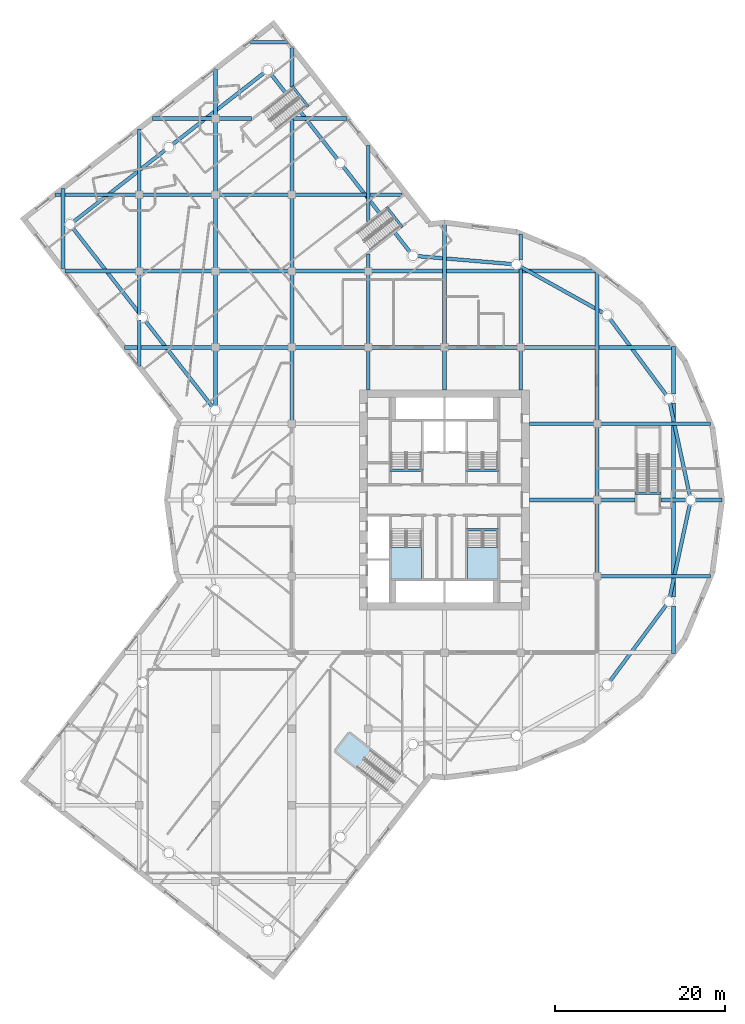
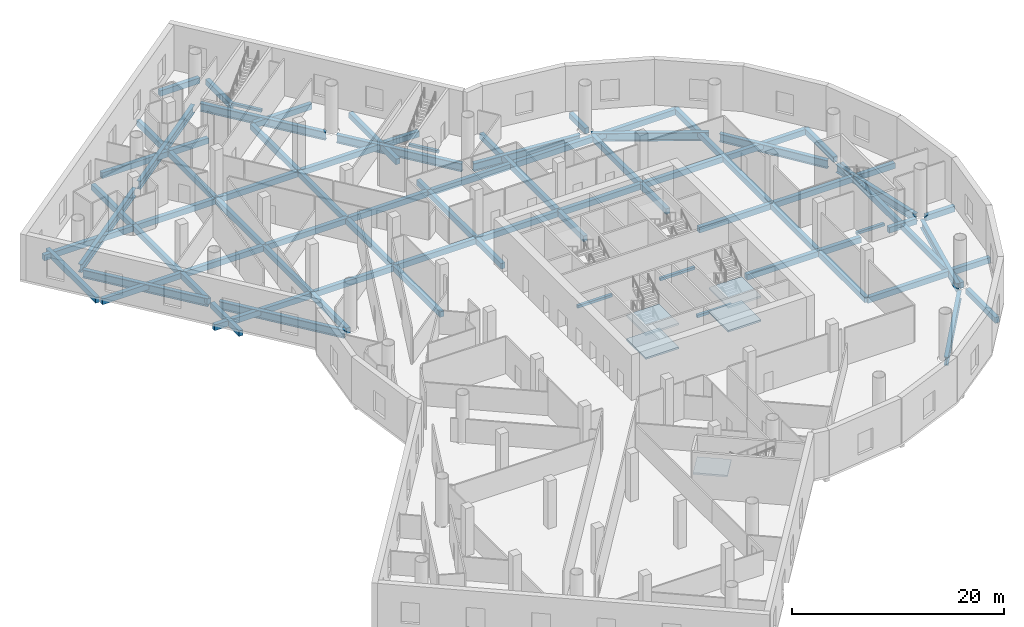
# One storey, part 2 of 23: 74 beams, 5 slabs, 3 elements without a shape of their own.
"""IFC4 building model written with IfcOpenShell, lengths in metres."""

from ifc_helpers import new_model, si_unit, direction, frame, origin, origin_2d, place, context, subcontext, project, spatial, polyline, rectangle, i_section, outline, extrude, material, layer, layer_set, material_profile, profile_set, type_object, element, aggregate, save


model = new_model("IFC4")

# Units and contexts
model_context = context("Model", 3, precision=1e-05, world=origin(), true_north=direction((0.0, 1.0)))
body_context = subcontext(model_context, "Body", "Model", "MODEL_VIEW")
ifc_project = project(units=[si_unit("LENGTHUNIT", "METRE"), si_unit("AREAUNIT", "SQUARE_METRE"), si_unit("VOLUMEUNIT", "CUBIC_METRE"), si_unit("PLANEANGLEUNIT", "RADIAN"), si_unit("MASSUNIT", "GRAM", prefix="KILO")], contexts=[model_context])

# Site, building, storey
site_placement = place(None, origin())
site = spatial("IfcSite", under=ifc_project, at=site_placement, CompositionType="ELEMENT")
building_placement = place(site_placement, origin())
building = spatial("IfcBuilding", under=site, at=building_placement, Name="Tarsis Ring Headquarters", CompositionType="ELEMENT")
storey_placement = place(building_placement, frame((0.0, 0.0, 14.0)))
storey = spatial("IfcBuildingStorey", under=building, at=storey_placement, Name="L02", CompositionType="ELEMENT", Elevation=14.0)

# Beams
ifc_material_1 = material(Name="Concrete C40/50", Category="concrete")
ifc_material_profile_1 = material_profile(ifc_material_1, rectangle(XDim=0.449951171875, YDim=0.64990234375, at=origin_2d()), Name="PO-B450")
ifc_profile_set_1 = profile_set([ifc_material_profile_1], Name="Concrete C40/50")
beam_type_1 = type_object("IfcBeamType", Name="PO-B450", PredefinedType="BEAM", material=ifc_profile_set_1)
beam_1_placement = place(storey_placement, frame((-45.0, 27.3046875, -0.574951171875), z_axis=(0.0, 1.0, 0.0), x_axis=(-1.0, 0.0, 0.0)))
element("IfcBeam", 1, at=beam_1_placement, inside=storey, type_object=beam_type_1, Name="L02 floor beam 2", PredefinedType="BEAM", context=body_context, shape_type="SweptSolid", body=[
    extrude(rectangle(XDim=0.449951171875, YDim=0.64990234375, at=origin_2d()), origin(), (0.0, 0.0, 1.0), 9.42724609375),
])
beam_2_placement = place(storey_placement, frame((-36.0, 15.78515625, -0.574951171875), z_axis=(0.0, 1.0, 0.0), x_axis=(-1.0, 0.0, 0.0)))
element("IfcBeam", 2, at=beam_2_placement, inside=storey, type_object=beam_type_1, Name="L02 floor beam 7", PredefinedType="BEAM", context=body_context, shape_type="SweptSolid", body=[
    extrude(rectangle(XDim=0.449951171875, YDim=0.64990234375, at=origin_2d()), origin(), (0.0, 0.0, 1.0), 5.44140625),
])
beam_3_placement = place(storey_placement, frame((-36.0, 21.853515625, -0.574951171875), z_axis=(0.0, 1.0, 0.0), x_axis=(-1.0, 0.0, 0.0)))
element("IfcBeam", 3, at=beam_3_placement, inside=storey, type_object=beam_type_1, Name="L02 floor beam 8", PredefinedType="BEAM", context=body_context, shape_type="SweptSolid", body=[
    extrude(rectangle(XDim=0.449951171875, YDim=0.64990234375, at=origin_2d()), origin(), (0.0, 0.0, 1.0), 5.146484375),
])
beam_4_placement = place(storey_placement, frame((-36.0, 27.0, -0.574951171875), z_axis=(0.0, 1.0, 0.0), x_axis=(-1.0, 0.0, 0.0)))
element("IfcBeam", 4, at=beam_4_placement, inside=storey, type_object=beam_type_1, Name="L02 floor beam 9", PredefinedType="BEAM", context=body_context, shape_type="SweptSolid", body=[
    extrude(rectangle(XDim=0.449951171875, YDim=0.64990234375, at=origin_2d()), origin(), (0.0, 0.0, 1.0), 9.0),
])
beam_5_placement = place(storey_placement, frame((-36.0, 36.0, -0.574951171875), z_axis=(0.0, 1.0, 0.0), x_axis=(-1.0, 0.0, 0.0)))
element("IfcBeam", 5, at=beam_5_placement, inside=storey, type_object=beam_type_1, Name="L02 floor beam 10", PredefinedType="BEAM", context=body_context, shape_type="SweptSolid", body=[
    extrude(rectangle(XDim=0.449951171875, YDim=0.64990234375, at=origin_2d()), origin(), (0.0, 0.0, 1.0), 7.763671875),
])
beam_6_placement = place(storey_placement, frame((-27.0, 11.082275390625, -0.574951171875), z_axis=(0.0, 1.0, 0.0), x_axis=(-1.0, 0.0, 0.0)))
element("IfcBeam", 6, at=beam_6_placement, inside=storey, type_object=beam_type_1, Name="L02 floor beam 14", PredefinedType="BEAM", context=body_context, shape_type="SweptSolid", body=[
    extrude(rectangle(XDim=0.449951171875, YDim=0.64990234375, at=origin_2d()), origin(), (0.0, 0.0, 1.0), 6.917724609375),
])
for number, where, z_axis, x_axis, name in (
    (7, (-27.0, 18.0, -0.574951171875), (0.0, 1.0, 0.0), (-1.0, 0.0, 0.0), "L02 floor beam 15"),
    (8, (-27.0, 27.0, -0.574951171875), (0.0, 1.0, 0.0), (-1.0, 0.0, 0.0), "L02 floor beam 16"),
    (9, (-27.0, 36.0, -0.574951171875), (0.0, 1.0, 0.0), (-1.0, 0.0, 0.0), "L02 floor beam 17"),
):
    element("IfcBeam", number, at=place(storey_placement, frame(where, z_axis=z_axis, x_axis=x_axis)), inside=storey, type_object=beam_type_1, Name=name, PredefinedType="BEAM", context=body_context, shape_type="SweptSolid", body=[
        extrude(rectangle(XDim=0.449951171875, YDim=0.64990234375, at=origin_2d()), origin(), (0.0, 0.0, 1.0), 9.0),
    ])
beam_7_placement = place(storey_placement, frame((-27.0, 45.0, -0.574951171875), z_axis=(0.0, 1.0, 0.0), x_axis=(-1.0, 0.0, 0.0)))
element("IfcBeam", 10, at=beam_7_placement, inside=storey, type_object=beam_type_1, Name="L02 floor beam 18", PredefinedType="BEAM", context=body_context, shape_type="SweptSolid", body=[
    extrude(rectangle(XDim=0.449951171875, YDim=0.64990234375, at=origin_2d()), origin(), (0.0, 0.0, 1.0), 5.795166015625),
])
for number, where, z_axis, x_axis, name in (
    (11, (-18.0, 9.0, -0.574951171875), (0.0, 1.0, 0.0), (-1.0, 0.0, 0.0), "L02 floor beam 23"),
    (12, (-18.0, 18.0, -0.574951171875), (0.0, 1.0, 0.0), (-1.0, 0.0, 0.0), "L02 floor beam 24"),
    (13, (-18.0, 27.0, -0.574951171875), (0.0, 1.0, 0.0), (-1.0, 0.0, 0.0), "L02 floor beam 25"),
):
    element("IfcBeam", number, at=place(storey_placement, frame(where, z_axis=z_axis, x_axis=x_axis)), inside=storey, type_object=beam_type_1, Name=name, PredefinedType="BEAM", context=body_context, shape_type="SweptSolid", body=[
        extrude(rectangle(XDim=0.449951171875, YDim=0.64990234375, at=origin_2d()), origin(), (0.0, 0.0, 1.0), 9.0),
    ])
beam_8_placement = place(storey_placement, frame((-18.0, 36.0, -0.574951171875), z_axis=(0.0, 1.0, 0.0), x_axis=(-1.0, 0.0, 0.0)))
element("IfcBeam", 14, at=beam_8_placement, inside=storey, type_object=beam_type_1, Name="L02 floor beam 26", PredefinedType="BEAM", context=body_context, shape_type="SweptSolid", body=[
    extrude(rectangle(XDim=0.449951171875, YDim=0.64990234375, at=origin_2d()), origin(), (0.0, 0.0, 1.0), 8.8623046875),
])
beam_9_placement = place(storey_placement, frame((-18.0, 48.7314453125, -0.574951171875), z_axis=(0.0, 1.0, 0.0), x_axis=(-1.0, 0.0, 0.0)))
element("IfcBeam", 15, at=beam_9_placement, inside=storey, type_object=beam_type_1, Name="L02 floor beam 27", PredefinedType="BEAM", context=body_context, shape_type="SweptSolid", body=[
    extrude(rectangle(XDim=0.449951171875, YDim=0.64990234375, at=origin_2d()), origin(), (0.0, 0.0, 1.0), 4.60009765625),
])
beam_10_placement = place(storey_placement, frame((-9.0, 13.0, -0.574951171875), z_axis=(0.0, 1.0, 0.0), x_axis=(-1.0, 0.0, 0.0)))
element("IfcBeam", 16, at=beam_10_placement, inside=storey, type_object=beam_type_1, Name="L02 floor beam 32", PredefinedType="BEAM", context=body_context, shape_type="SweptSolid", body=[
    extrude(rectangle(XDim=0.449951171875, YDim=0.64990234375, at=origin_2d()), origin(), (0.0, 0.0, 1.0), 5.0),
])
beam_11_placement = place(storey_placement, frame((-9.0, 18.0, -0.574951171875), z_axis=(0.0, 1.0, 0.0), x_axis=(-1.0, 0.0, 0.0)))
element("IfcBeam", 17, at=beam_11_placement, inside=storey, type_object=beam_type_1, Name="L02 floor beam 33", PredefinedType="BEAM", context=body_context, shape_type="SweptSolid", body=[
    extrude(rectangle(XDim=0.449951171875, YDim=0.64990234375, at=origin_2d()), origin(), (0.0, 0.0, 1.0), 9.0),
])
beam_12_placement = place(storey_placement, frame((-9.0, 27.0, -0.574951171875), z_axis=(0.0, 1.0, 0.0), x_axis=(-1.0, 0.0, 0.0)))
element("IfcBeam", 18, at=beam_12_placement, inside=storey, type_object=beam_type_1, Name="L02 floor beam 34", PredefinedType="BEAM", context=body_context, shape_type="SweptSolid", body=[
    extrude(rectangle(XDim=0.449951171875, YDim=0.64990234375, at=origin_2d()), origin(), (0.0, 0.0, 1.0), 2.003173828125),
])
beam_13_placement = place(storey_placement, frame((-9.0, 32.872314453125, -0.574951171875), z_axis=(0.0, 1.0, 0.0), x_axis=(-1.0, 0.0, 0.0)))
element("IfcBeam", 19, at=beam_13_placement, inside=storey, type_object=beam_type_1, Name="L02 floor beam 35", PredefinedType="BEAM", context=body_context, shape_type="SweptSolid", body=[
    extrude(rectangle(XDim=0.449951171875, YDim=0.64990234375, at=origin_2d()), origin(), (0.0, 0.0, 1.0), 8.939697265625),
])
beam_14_placement = place(storey_placement, frame((0.0, 13.0, -0.574951171875), z_axis=(0.0, 1.0, 0.0), x_axis=(-1.0, 0.0, 0.0)))
element("IfcBeam", 20, at=beam_14_placement, inside=storey, type_object=beam_type_1, Name="L02 floor beam 38", PredefinedType="BEAM", context=body_context, shape_type="SweptSolid", body=[
    extrude(rectangle(XDim=0.449951171875, YDim=0.64990234375, at=origin_2d()), origin(), (0.0, 0.0, 1.0), 5.0),
])
beam_15_placement = place(storey_placement, frame((0.0, 18.0, -0.574951171875), z_axis=(0.0, 1.0, 0.0), x_axis=(-1.0, 0.0, 0.0)))
element("IfcBeam", 21, at=beam_15_placement, inside=storey, type_object=beam_type_1, Name="L02 floor beam 39", PredefinedType="BEAM", context=body_context, shape_type="SweptSolid", body=[
    extrude(rectangle(XDim=0.449951171875, YDim=0.64990234375, at=origin_2d()), origin(), (0.0, 0.0, 1.0), 14.70458984375),
])
beam_16_placement = place(storey_placement, frame((9.0, 13.0, -0.574951171875), z_axis=(0.0, 1.0, 0.0), x_axis=(-1.0, 0.0, 0.0)))
element("IfcBeam", 22, at=beam_16_placement, inside=storey, type_object=beam_type_1, Name="L02 floor beam 43", PredefinedType="BEAM", context=body_context, shape_type="SweptSolid", body=[
    extrude(rectangle(XDim=0.449951171875, YDim=0.64990234375, at=origin_2d()), origin(), (0.0, 0.0, 1.0), 5.0),
])
beam_17_placement = place(storey_placement, frame((9.0, 18.0, -0.574951171875), z_axis=(0.0, 1.0, 0.0), x_axis=(-1.0, 0.0, 0.0)))
element("IfcBeam", 23, at=beam_17_placement, inside=storey, type_object=beam_type_1, Name="L02 floor beam 44", PredefinedType="BEAM", context=body_context, shape_type="SweptSolid", body=[
    extrude(rectangle(XDim=0.449951171875, YDim=0.64990234375, at=origin_2d()), origin(), (0.0, 0.0, 1.0), 9.245361328125),
])
beam_18_placement = place(storey_placement, frame((9.0, 28.3212890625, -0.574951171875), z_axis=(0.0, 1.0, 0.0), x_axis=(-1.0, 0.0, 0.0)))
element("IfcBeam", 24, at=beam_18_placement, inside=storey, type_object=beam_type_1, Name="L02 floor beam 45", PredefinedType="BEAM", context=body_context, shape_type="SweptSolid", body=[
    extrude(rectangle(XDim=0.449951171875, YDim=0.64990234375, at=origin_2d()), origin(), (0.0, 0.0, 1.0), 3.050048828125),
])
for number, where, z_axis, x_axis, name in (
    (25, (18.0, -9.0, -0.574951171875), (0.0, 1.0, 0.0), (-1.0, 0.0, 0.0), "L02 floor beam 47"),
    (26, (18.0, 0.0, -0.574951171875), (0.0, 1.0, 0.0), (-1.0, 0.0, 0.0), "L02 floor beam 48"),
):
    element("IfcBeam", number, at=place(storey_placement, frame(where, z_axis=z_axis, x_axis=x_axis)), inside=storey, type_object=beam_type_1, Name=name, PredefinedType="BEAM", context=body_context, shape_type="SweptSolid", body=[
        extrude(rectangle(XDim=0.449951171875, YDim=0.64990234375, at=origin_2d()), origin(), (0.0, 0.0, 1.0), 9.0),
    ])
beam_19_placement = place(storey_placement, frame((18.0, 9.0, -0.574951171875), z_axis=(0.0, 1.0, 0.0), x_axis=(-1.0, 0.0, 0.0)))
element("IfcBeam", 27, at=beam_19_placement, inside=storey, type_object=beam_type_1, Name="L02 floor beam 49", PredefinedType="BEAM", context=body_context, shape_type="SweptSolid", body=[
    extrude(rectangle(XDim=0.449951171875, YDim=0.64990234375, at=origin_2d()), origin(), (0.0, 0.0, 1.0), 18.062255859375),
])
beam_20_placement = place(storey_placement, frame((27.0, -18.0810546875, -0.574951171875), z_axis=(0.0, 1.0, 0.0), x_axis=(-1.0, 0.0, 0.0)))
element("IfcBeam", 28, at=beam_20_placement, inside=storey, type_object=beam_type_1, Name="L02 floor beam 50", PredefinedType="BEAM", context=body_context, shape_type="SweptSolid", body=[
    extrude(rectangle(XDim=0.449951171875, YDim=0.64990234375, at=origin_2d()), origin(), (0.0, 0.0, 1.0), 5.58203125),
])
beam_21_placement = place(storey_placement, frame((27.0, -11.447998046875, -0.574951171875), z_axis=(0.0, 1.0, 0.0), x_axis=(-1.0, 0.0, 0.0)))
element("IfcBeam", 29, at=beam_21_placement, inside=storey, type_object=beam_type_1, Name="L02 floor beam 51", PredefinedType="BEAM", context=body_context, shape_type="SweptSolid", body=[
    extrude(rectangle(XDim=0.449951171875, YDim=0.64990234375, at=origin_2d()), origin(), (0.0, 0.0, 1.0), 22.89599609375),
])
beam_22_placement = place(storey_placement, frame((27.0, 12.4990234375, -0.574951171875), z_axis=(0.0, 1.0, 0.0), x_axis=(-1.0, 0.0, 0.0)))
element("IfcBeam", 30, at=beam_22_placement, inside=storey, type_object=beam_type_1, Name="L02 floor beam 52", PredefinedType="BEAM", context=body_context, shape_type="SweptSolid", body=[
    extrude(rectangle(XDim=0.449951171875, YDim=0.64990234375, at=origin_2d()), origin(), (0.0, 0.0, 1.0), 5.58203125),
])
beam_23_placement = place(storey_placement, frame((18.0, -9.0, -0.574951171875), z_axis=(1.0, 0.0, 0.0), x_axis=(0.0, 1.0, 0.0)))
element("IfcBeam", 31, at=beam_23_placement, inside=storey, type_object=beam_type_1, Name="L02 floor beam 70", PredefinedType="BEAM", context=body_context, shape_type="SweptSolid", body=[
    extrude(rectangle(XDim=0.449951171875, YDim=0.64990234375, at=origin_2d()), origin(), (0.0, 0.0, 1.0), 13.371337890625),
])
beam_24_placement = place(storey_placement, frame((10.0, 0.0, -0.574951171875), z_axis=(1.0, 0.0, 0.0), x_axis=(0.0, 1.0, 0.0)))
element("IfcBeam", 32, at=beam_24_placement, inside=storey, type_object=beam_type_1, Name="L02 floor beam 74", PredefinedType="BEAM", context=body_context, shape_type="SweptSolid", body=[
    extrude(rectangle(XDim=0.449951171875, YDim=0.64990234375, at=origin_2d()), origin(), (0.0, 0.0, 1.0), 8.0),
])
beam_25_placement = place(storey_placement, frame((18.0, 0.0, -0.574951171875), z_axis=(1.0, 0.0, 0.0), x_axis=(0.0, 1.0, 0.0)))
element("IfcBeam", 33, at=beam_25_placement, inside=storey, type_object=beam_type_1, Name="L02 floor beam 75", PredefinedType="BEAM", context=body_context, shape_type="SweptSolid", body=[
    extrude(rectangle(XDim=0.449951171875, YDim=0.64990234375, at=origin_2d()), origin(), (0.0, 0.0, 1.0), 4.47509765625),
])
beam_26_placement = place(storey_placement, frame((25.52490234375, 0.0, -0.574951171875), z_axis=(1.0, 0.0, 0.0), x_axis=(0.0, 1.0, 0.0)))
element("IfcBeam", 34, at=beam_26_placement, inside=storey, type_object=beam_type_1, Name="L02 floor beam 76", PredefinedType="BEAM", context=body_context, shape_type="SweptSolid", body=[
    extrude(rectangle(XDim=0.449951171875, YDim=0.64990234375, at=origin_2d()), origin(), (0.0, 0.0, 1.0), 3.023681640625),
])
beam_27_placement = place(storey_placement, frame((29.548583984375, 0.0, -0.574951171875), z_axis=(1.0, 0.0, 0.0), x_axis=(0.0, 1.0, 0.0)))
element("IfcBeam", 35, at=beam_27_placement, inside=storey, type_object=beam_type_1, Name="L02 floor beam 77", PredefinedType="BEAM", context=body_context, shape_type="SweptSolid", body=[
    extrude(rectangle(XDim=0.449951171875, YDim=0.64990234375, at=origin_2d()), origin(), (0.0, 0.0, 1.0), 3.156005859375),
])
beam_28_placement = place(storey_placement, frame((10.0, 9.0, -0.574951171875), z_axis=(1.0, 0.0, 0.0), x_axis=(0.0, 1.0, 0.0)))
element("IfcBeam", 36, at=beam_28_placement, inside=storey, type_object=beam_type_1, Name="L02 floor beam 80", PredefinedType="BEAM", context=body_context, shape_type="SweptSolid", body=[
    extrude(rectangle(XDim=0.449951171875, YDim=0.64990234375, at=origin_2d()), origin(), (0.0, 0.0, 1.0), 8.0),
])
beam_29_placement = place(storey_placement, frame((18.0, 9.0, -0.574951171875), z_axis=(1.0, 0.0, 0.0), x_axis=(0.0, 1.0, 0.0)))
element("IfcBeam", 37, at=beam_29_placement, inside=storey, type_object=beam_type_1, Name="L02 floor beam 81", PredefinedType="BEAM", context=body_context, shape_type="SweptSolid", body=[
    extrude(rectangle(XDim=0.449951171875, YDim=0.64990234375, at=origin_2d()), origin(), (0.0, 0.0, 1.0), 13.371337890625),
])
beam_30_placement = place(storey_placement, frame((-37.730224609375, 18.0, -0.574951171875), z_axis=(1.0, 0.0, 0.0), x_axis=(0.0, 1.0, 0.0)))
element("IfcBeam", 38, at=beam_30_placement, inside=storey, type_object=beam_type_1, Name="L02 floor beam 82", PredefinedType="BEAM", context=body_context, shape_type="SweptSolid", body=[
    extrude(rectangle(XDim=0.449951171875, YDim=0.64990234375, at=origin_2d()), origin(), (0.0, 0.0, 1.0), 10.730224609375),
])
for number, where, z_axis, x_axis, name in (
    (39, (-27.0, 18.0, -0.574951171875), (1.0, 0.0, 0.0), (0.0, 1.0, 0.0), "L02 floor beam 83"),
    (40, (-18.0, 18.0, -0.574951171875), (1.0, 0.0, 0.0), (0.0, 1.0, 0.0), "L02 floor beam 84"),
    (41, (-9.0, 18.0, -0.574951171875), (1.0, 0.0, 0.0), (0.0, 1.0, 0.0), "L02 floor beam 85"),
    (42, (0.0, 18.0, -0.574951171875), (1.0, 0.0, 0.0), (0.0, 1.0, 0.0), "L02 floor beam 86"),
):
    element("IfcBeam", number, at=place(storey_placement, frame(where, z_axis=z_axis, x_axis=x_axis)), inside=storey, type_object=beam_type_1, Name=name, PredefinedType="BEAM", context=body_context, shape_type="SweptSolid", body=[
        extrude(rectangle(XDim=0.449951171875, YDim=0.64990234375, at=origin_2d()), origin(), (0.0, 0.0, 1.0), 9.0),
    ])
beam_31_placement = place(storey_placement, frame((9.0, 18.0, -0.574951171875), z_axis=(1.0, 0.0, 0.0), x_axis=(0.0, 1.0, 0.0)))
element("IfcBeam", 43, at=beam_31_placement, inside=storey, type_object=beam_type_1, Name="L02 floor beam 87", PredefinedType="BEAM", context=body_context, shape_type="SweptSolid", body=[
    extrude(rectangle(XDim=0.449951171875, YDim=0.64990234375, at=origin_2d()), origin(), (0.0, 0.0, 1.0), 18.062255859375),
])
beam_32_placement = place(storey_placement, frame((-44.761962890625, 27.0, -0.574951171875), z_axis=(1.0, 0.0, 0.0), x_axis=(0.0, 1.0, 0.0)))
element("IfcBeam", 44, at=beam_32_placement, inside=storey, type_object=beam_type_1, Name="L02 floor beam 88", PredefinedType="BEAM", context=body_context, shape_type="SweptSolid", body=[
    extrude(rectangle(XDim=0.449951171875, YDim=0.64990234375, at=origin_2d()), origin(), (0.0, 0.0, 1.0), 8.761962890625),
])
for number, where, z_axis, x_axis, name in (
    (45, (-36.0, 27.0, -0.574951171875), (1.0, 0.0, 0.0), (0.0, 1.0, 0.0), "L02 floor beam 89"),
    (46, (-27.0, 27.0, -0.574951171875), (1.0, 0.0, 0.0), (0.0, 1.0, 0.0), "L02 floor beam 90"),
    (47, (-18.0, 27.0, -0.574951171875), (1.0, 0.0, 0.0), (0.0, 1.0, 0.0), "L02 floor beam 91"),
):
    element("IfcBeam", number, at=place(storey_placement, frame(where, z_axis=z_axis, x_axis=x_axis)), inside=storey, type_object=beam_type_1, Name=name, PredefinedType="BEAM", context=body_context, shape_type="SweptSolid", body=[
        extrude(rectangle(XDim=0.449951171875, YDim=0.64990234375, at=origin_2d()), origin(), (0.0, 0.0, 1.0), 9.0),
    ])
beam_33_placement = place(storey_placement, frame((-9.0, 27.0, -0.574951171875), z_axis=(1.0, 0.0, 0.0), x_axis=(0.0, 1.0, 0.0)))
element("IfcBeam", 48, at=beam_33_placement, inside=storey, type_object=beam_type_1, Name="L02 floor beam 92", PredefinedType="BEAM", context=body_context, shape_type="SweptSolid", body=[
    extrude(rectangle(XDim=0.449951171875, YDim=0.64990234375, at=origin_2d()), origin(), (0.0, 0.0, 1.0), 27.0810546875),
])
beam_34_placement = place(storey_placement, frame((-45.93701171875, 36.0, -0.574951171875), z_axis=(1.0, 0.0, 0.0), x_axis=(0.0, 1.0, 0.0)))
element("IfcBeam", 49, at=beam_34_placement, inside=storey, type_object=beam_type_1, Name="L02 floor beam 93", PredefinedType="BEAM", context=body_context, shape_type="SweptSolid", body=[
    extrude(rectangle(XDim=0.449951171875, YDim=0.64990234375, at=origin_2d()), origin(), (0.0, 0.0, 1.0), 9.93701171875),
])
for number, where, z_axis, x_axis, name in (
    (50, (-36.0, 36.0, -0.574951171875), (1.0, 0.0, 0.0), (0.0, 1.0, 0.0), "L02 floor beam 94"),
    (51, (-27.0, 36.0, -0.574951171875), (1.0, 0.0, 0.0), (0.0, 1.0, 0.0), "L02 floor beam 95"),
):
    element("IfcBeam", number, at=place(storey_placement, frame(where, z_axis=z_axis, x_axis=x_axis)), inside=storey, type_object=beam_type_1, Name=name, PredefinedType="BEAM", context=body_context, shape_type="SweptSolid", body=[
        extrude(rectangle(XDim=0.449951171875, YDim=0.64990234375, at=origin_2d()), origin(), (0.0, 0.0, 1.0), 9.0),
    ])
beam_35_placement = place(storey_placement, frame((-18.0, 36.0, -0.574951171875), z_axis=(1.0, 0.0, 0.0), x_axis=(0.0, 1.0, 0.0)))
element("IfcBeam", 52, at=beam_35_placement, inside=storey, type_object=beam_type_1, Name="L02 floor beam 96", PredefinedType="BEAM", context=body_context, shape_type="SweptSolid", body=[
    extrude(rectangle(XDim=0.449951171875, YDim=0.64990234375, at=origin_2d()), origin(), (0.0, 0.0, 1.0), 13.0068359375),
])
beam_36_placement = place(storey_placement, frame((-34.41748046875, 45.0, -0.574951171875), z_axis=(1.0, 0.0, 0.0), x_axis=(0.0, 1.0, 0.0)))
element("IfcBeam", 53, at=beam_36_placement, inside=storey, type_object=beam_type_1, Name="L02 floor beam 97", PredefinedType="BEAM", context=body_context, shape_type="SweptSolid", body=[
    extrude(rectangle(XDim=0.449951171875, YDim=0.64990234375, at=origin_2d()), origin(), (0.0, 0.0, 1.0), 7.41748046875),
])
beam_37_placement = place(storey_placement, frame((-27.0, 45.0, -0.574951171875), z_axis=(1.0, 0.0, 0.0), x_axis=(0.0, 1.0, 0.0)))
element("IfcBeam", 54, at=beam_37_placement, inside=storey, type_object=beam_type_1, Name="L02 floor beam 98", PredefinedType="BEAM", context=body_context, shape_type="SweptSolid", body=[
    extrude(rectangle(XDim=0.449951171875, YDim=0.64990234375, at=origin_2d()), origin(), (0.0, 0.0, 1.0), 4.219482421875),
])
beam_38_placement = place(storey_placement, frame((-17.82373046875, 45.0, -0.574951171875), z_axis=(1.0, 0.0, 0.0), x_axis=(0.0, 1.0, 0.0)))
element("IfcBeam", 55, at=beam_38_placement, inside=storey, type_object=beam_type_1, Name="L02 floor beam 99", PredefinedType="BEAM", context=body_context, shape_type="SweptSolid", body=[
    extrude(rectangle(XDim=0.449951171875, YDim=0.64990234375, at=origin_2d()), origin(), (0.0, 0.0, 1.0), 6.3330078125),
])
beam_39_placement = place(storey_placement, frame((-22.89794921875, 54.0, -0.574951171875), z_axis=(1.0, 0.0, 0.0), x_axis=(0.0, 1.0, 0.0)))
element("IfcBeam", 56, at=beam_39_placement, inside=storey, type_object=beam_type_1, Name="L02 floor beam 100", PredefinedType="BEAM", context=body_context, shape_type="SweptSolid", body=[
    extrude(rectangle(XDim=0.449951171875, YDim=0.64990234375, at=origin_2d()), origin(), (0.0, 0.0, 1.0), 4.375732421875),
])
ifc_material_2 = material(Name="Concrete C60/75", Category="concrete")
ifc_material_profile_2 = material_profile(ifc_material_2, rectangle(XDim=0.300048828125, YDim=0.300048828125, at=origin_2d()), Name="PO-SHB300")
ifc_profile_set_2 = profile_set([ifc_material_profile_2], Name="Concrete C60/75")
beam_type_2 = type_object("IfcBeamType", Name="PO-SHB300", PredefinedType="BEAM", material=ifc_profile_set_2)
beam_40_placement = place(storey_placement, frame((25.52490234375, 0.780029296875, -0.39990234375), z_axis=(-1.0, 0.0, 0.0), x_axis=(0.0, -1.0, 0.0)))
element("IfcBeam", 57, at=beam_40_placement, inside=storey, type_object=beam_type_2, Name="Stair head beam L02 PS1", PredefinedType="BEAM", context=body_context, shape_type="SweptSolid", body=[
    extrude(rectangle(XDim=0.300048828125, YDim=0.300048828125, at=origin_2d()), origin(), (0.0, 0.0, 1.0), 3.0498046875),
])
beam_41_placement = place(storey_placement, frame((-6.83203125, 34.564697265625, -0.39990234375), z_axis=(0.615308465652, -0.788286427701, 0.0), x_axis=(0.788286427701, 0.615308465652, 0.0)))
element("IfcBeam", 58, at=beam_41_placement, inside=storey, type_object=beam_type_2, Name="Stair head beam L02 PS3", PredefinedType="BEAM", context=body_context, shape_type="SweptSolid", body=[
    extrude(rectangle(XDim=0.300048828125, YDim=0.300048828125, at=origin_2d()), origin(), (0.0, 0.0, 1.0), 3.050048828125),
])
beam_42_placement = place(storey_placement, frame((-17.93212890625, 48.78466796875, -0.39990234375), z_axis=(0.615358201785, -0.788247602911, 0.0), x_axis=(0.788247602911, 0.615358201785, 0.0)))
element("IfcBeam", 59, at=beam_42_placement, inside=storey, type_object=beam_type_2, Name="Stair head beam L02 PS4", PredefinedType="BEAM", context=body_context, shape_type="SweptSolid", body=[
    extrude(rectangle(XDim=0.300048828125, YDim=0.300048828125, at=origin_2d()), origin(), (0.0, 0.0, 1.0), 3.05029296875),
])
ifc_material_profile_3 = material_profile(ifc_material_1, rectangle(XDim=0.300048828125, YDim=0.300048828125, at=origin_2d()), Name="Stair head beam 300x300 C40/50")
ifc_profile_set_3 = profile_set([ifc_material_profile_3], Name="Concrete C40/50")
beam_type_3 = type_object("IfcBeamType", Name="Stair head beam 300x300 C40/50", PredefinedType="BEAM", material=ifc_profile_set_3)
for number, where, z_axis, x_axis, name in (
    (60, (-6.39990234375, 3.510009765625, -0.39990234375), (1.0, 0.0, 0.0), (0.0, 1.0, 0.0), "Stair head beam L02 Firefighting stair"),
    (61, (2.60009765625, 3.510009765625, -0.39990234375), (1.0, 0.0, 0.0), (0.0, 1.0, 0.0), "Stair head beam L02 Exit stair B"),
    (62, (2.60009765625, -3.510009765625, -0.39990234375), (1.0, 0.0, 0.0), (0.0, 1.0, 0.0), "Stair head beam L02 Exit stair D"),
):
    element("IfcBeam", number, at=place(storey_placement, frame(where, z_axis=z_axis, x_axis=x_axis)), inside=storey, type_object=beam_type_3, Name=name, PredefinedType="BEAM", context=body_context, shape_type="SweptSolid", body=[
        extrude(rectangle(XDim=0.300048828125, YDim=0.300048828125, at=origin_2d()), origin(), (0.0, 0.0, 1.0), 3.7998046875),
    ])
ifc_material_3 = material(Name="Structural steel S355", Category="steel")
ifc_material_profile_4 = material_profile(ifc_material_3, i_section(OverallWidth=0.42431640625, OverallDepth=0.947509765625, WebThickness=0.02392578125, FlangeThickness=0.042724609375, at=origin_2d()), Name="W36x302")
ifc_profile_set_4 = profile_set([ifc_material_profile_4], Name="Structural steel S355")
beam_type_4 = type_object("IfcBeamType", Name="XG Ring girder W36x302", PredefinedType="BEAM", material=ifc_profile_set_4)
for number, where, z_axis, x_axis, name in (
    (63, (19.504150390625, -21.377197265625, -0.7236328125), (0.595024911632, 0.80370725674, 0.0), (-0.80370725674, 0.595024911632, 0.0), "Ring girder XG1"),
    (64, (26.581787109375, -11.437255859375, -0.7236328125), (0.2108296684, 0.977522813505, 0.0), (-0.977522813505, 0.2108296684, 0.0), "Ring girder XG1"),
    (65, (28.932861328125, 0.536376953125, -0.7236328125), (-0.2108296684, 0.977522813505, 0.0), (-0.977522813505, -0.2108296684, 0.0), "Ring girder XG1"),
    (66, (26.1396484375, 12.41455078125, -0.7236328125), (-0.595024911632, 0.80370725674, 0.0), (-0.80370725674, -0.595024911632, 0.0), "Ring girder XG1"),
    (67, (18.698486328125, 22.085205078125, -0.7236328125), (-0.873397184148, 0.487008581776, 0.0), (-0.487008581776, -0.873397184148, 0.0), "Ring girder XG1"),
):
    element("IfcBeam", number, at=place(storey_placement, frame(where, z_axis=z_axis, x_axis=x_axis)), inside=storey, type_object=beam_type_4, Name=name, PredefinedType="BEAM", context=body_context, shape_type="SweptSolid", body=[
        extrude(i_section(OverallWidth=0.42431640625, OverallDepth=0.947509765625, WebThickness=0.02392578125, FlangeThickness=0.042724609375, at=origin_2d()), origin(), (0.0, 0.0, 1.0), 11.151611328125),
    ])
beam_43_placement = place(storey_placement, frame((7.932861328125, 27.8291015625, -0.7236328125), z_axis=(-0.996489363019, 0.083719468411, 0.0), x_axis=(-0.083719468411, -0.996489363019, 0.0)))
element("IfcBeam", 68, at=beam_43_placement, inside=storey, type_object=beam_type_4, Name="Ring girder XG1", PredefinedType="BEAM", context=body_context, shape_type="SweptSolid", body=[
    extrude(i_section(OverallWidth=0.42431640625, OverallDepth=0.947509765625, WebThickness=0.02392578125, FlangeThickness=0.042724609375, at=origin_2d()), origin(), (0.0, 0.0, 1.0), 11.1513671875),
])
for number, where, z_axis, x_axis, name in (
    (69, (-4.06396484375, 29.240966796875, -0.7236328125), (-0.615666981287, 0.788006451847, 0.0), (-0.788006451847, -0.615666981287, 0.0), "Ring girder XG1"),
    (70, (-12.623046875, 40.196044921875, -0.7236328125), (-0.615666981287, 0.788006451847, 0.0), (-0.788006451847, -0.615666981287, 0.0), "Ring girder XG1"),
):
    element("IfcBeam", number, at=place(storey_placement, frame(where, z_axis=z_axis, x_axis=x_axis)), inside=storey, type_object=beam_type_4, Name=name, PredefinedType="BEAM", context=body_context, shape_type="SweptSolid", body=[
        extrude(i_section(OverallWidth=0.42431640625, OverallDepth=0.947509765625, WebThickness=0.02392578125, FlangeThickness=0.042724609375, at=origin_2d()), origin(), (0.0, 0.0, 1.0), 12.804931640625),
    ])
for number, where, z_axis, x_axis, name in (
    (71, (-21.276611328125, 50.380859375, -0.7236328125), (-0.788023563374, -0.61564507922, 0.0), (0.61564507922, -0.788023563374, 0.0), "Ring girder XG1"),
    (72, (-32.939208984375, 41.269287109375, -0.7236328125), (-0.7880081664, -0.615664786785, 0.0), (0.615664786785, -0.7880081664, 0.0), "Ring girder XG1"),
):
    element("IfcBeam", number, at=place(storey_placement, frame(where, z_axis=z_axis, x_axis=x_axis)), inside=storey, type_object=beam_type_4, Name=name, PredefinedType="BEAM", context=body_context, shape_type="SweptSolid", body=[
        extrude(i_section(OverallWidth=0.42431640625, OverallDepth=0.947509765625, WebThickness=0.02392578125, FlangeThickness=0.042724609375, at=origin_2d()), origin(), (0.0, 0.0, 1.0), 13.70263671875),
    ])
for number, where, z_axis, x_axis, name in (
    (73, (-43.831787109375, 32.062744140625, -0.7236328125), (0.615666981287, -0.788006451847, 0.0), (0.788006451847, 0.615666981287, 0.0), "Ring girder XG1"),
    (74, (-35.272705078125, 21.107666015625, -0.7236328125), (0.615666981287, -0.788006451847, 0.0), (0.788006451847, 0.615666981287, 0.0), "Ring girder XG1"),
):
    element("IfcBeam", number, at=place(storey_placement, frame(where, z_axis=z_axis, x_axis=x_axis)), inside=storey, type_object=beam_type_4, Name=name, PredefinedType="BEAM", context=body_context, shape_type="SweptSolid", body=[
        extrude(i_section(OverallWidth=0.42431640625, OverallDepth=0.947509765625, WebThickness=0.02392578125, FlangeThickness=0.042724609375, at=origin_2d()), origin(), (0.0, 0.0, 1.0), 12.804931640625),
    ])

# Stair, slabs
ifc_material_4 = material(Name="Core stair 1760")
stair_type_1 = type_object("IfcStairType", Name="Core stair 1760", PredefinedType="HALF_TURN_STAIR", material=ifc_material_4)
stair_1_placement = place(storey_placement, origin())
stair_1 = element("IfcStair", 75, at=stair_1_placement, inside=storey, type_object=stair_type_1, Name="L02 Exit stair C", PredefinedType="HALF_TURN_STAIR")
ifc_layer_1 = layer(ifc_material_1, 0.199951171875)
ifc_layer_set_1 = layer_set([ifc_layer_1], Name="Core stair landing 200")
slab_type_1 = type_object("IfcSlabType", Name="Core stair landing 200", PredefinedType="LANDING", material=ifc_layer_set_1)
slab_1_placement = place(storey_placement, frame((0.0, 0.0, 1.175048828125)))
slab_1 = element("IfcSlab", 76, at=slab_1_placement, type_object=slab_type_1, Name="Stair ST3 landing 1", PredefinedType="LANDING", context=body_context, shape_type="SweptSolid", body=[
    extrude(outline(polyline([(-6.300048828125, -5.6201171875), (-6.300048828125, -9.300048828125), (-2.699951171875, -9.300048828125), (-2.699951171875, -5.6201171875), (-6.300048828125, -5.6201171875)])), origin(), (0.0, 0.0, 1.0), 0.199951171875),
])
slab_2_placement = place(storey_placement, frame((0.0, 0.0, 3.925048828125)))
slab_2 = element("IfcSlab", 77, at=slab_2_placement, type_object=slab_type_1, Name="Stair ST3 landing 3", PredefinedType="LANDING", context=body_context, shape_type="SweptSolid", body=[
    extrude(outline(polyline([(-6.300048828125, -5.6201171875), (-6.300048828125, -9.300048828125), (-2.699951171875, -9.300048828125), (-2.699951171875, -5.6201171875), (-6.300048828125, -5.6201171875)])), origin(), (0.0, 0.0, 1.0), 0.199951171875),
])
aggregate(stair_1, [slab_1, slab_2])

stair_2_placement = place(storey_placement, origin())
stair_2 = element("IfcStair", 78, at=stair_2_placement, inside=storey, type_object=stair_type_1, Name="L02 Exit stair D", PredefinedType="HALF_TURN_STAIR")
slab_3_placement = place(storey_placement, frame((0.0, 0.0, 1.175048828125)))
slab_3 = element("IfcSlab", 79, at=slab_3_placement, type_object=slab_type_1, Name="Stair ST4 landing 1", PredefinedType="LANDING", context=body_context, shape_type="SweptSolid", body=[
    extrude(outline(polyline([(2.699951171875, -5.6201171875), (2.699951171875, -9.300048828125), (6.300048828125, -9.300048828125), (6.300048828125, -5.6201171875), (2.699951171875, -5.6201171875)])), origin(), (0.0, 0.0, 1.0), 0.199951171875),
])
slab_4_placement = place(storey_placement, frame((0.0, 0.0, 3.925048828125)))
slab_4 = element("IfcSlab", 80, at=slab_4_placement, type_object=slab_type_1, Name="Stair ST4 landing 3", PredefinedType="LANDING", context=body_context, shape_type="SweptSolid", body=[
    extrude(outline(polyline([(2.699951171875, -5.6201171875), (2.699951171875, -9.300048828125), (6.300048828125, -9.300048828125), (6.300048828125, -5.6201171875), (2.699951171875, -5.6201171875)])), origin(), (0.0, 0.0, 1.0), 0.199951171875),
])
aggregate(stair_2, [slab_3, slab_4])

# Stair, slab
stair_type_2 = type_object("IfcStairType", Name="PO-ST", PredefinedType="HALF_TURN_STAIR", material=ifc_material_1)
stair_3_placement = place(storey_placement, origin())
stair_3 = element("IfcStair", 81, at=stair_3_placement, inside=storey, type_object=stair_type_2, Name="L02 Podium stair", PredefinedType="HALF_TURN_STAIR")
ifc_layer_2 = layer(ifc_material_1, 0.199951171875)
ifc_layer_set_2 = layer_set([ifc_layer_2], Name="PO-STL")
slab_type_2 = type_object("IfcSlabType", Name="PO-STL", PredefinedType="LANDING", material=ifc_layer_set_2)
slab_5_placement = place(storey_placement, frame((0.0, 0.0, 2.550048828125)))
slab_5 = element("IfcSlab", 82, at=slab_5_placement, type_object=slab_type_2, Name="Stair PS2 landing 1", PredefinedType="LANDING", context=body_context, shape_type="SweptSolid", body=[
    extrude(outline(polyline([(-8.63525390625, -29.52880859375), (-11.220703125, -27.5107421875), (-12.86376953125, -29.615234375), (-10.278076171875, -31.633544921875), (-8.63525390625, -29.52880859375)])), origin(), (0.0, 0.0, 1.0), 0.199951171875),
])
aggregate(stair_3, [slab_5])

save(model, "model.ifc")
